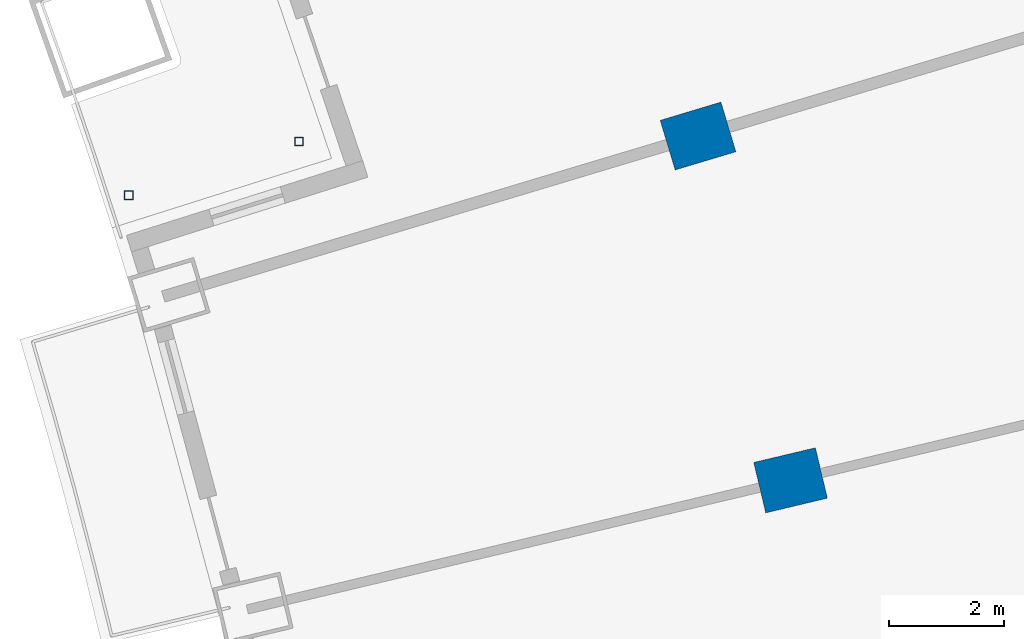
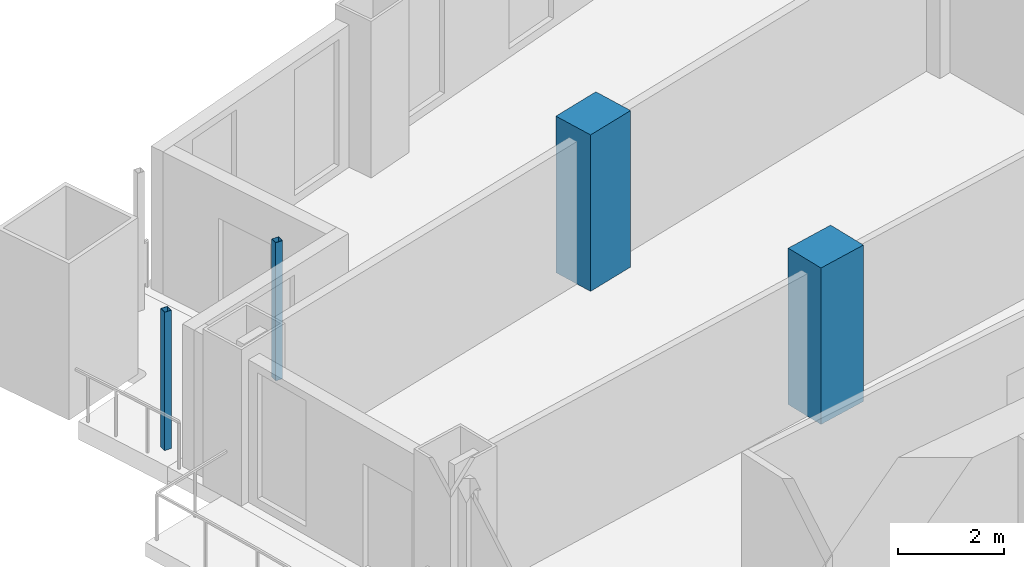
# One storey, part 7 of 25: 4 columns.
"""IFC4 building model written with IfcOpenShell, lengths in metres."""

from ifc_helpers import new_model, si_unit, direction, frame, origin, origin_2d, place, context, subcontext, project, spatial, rectangle, hollow_rectangle, extrude, material, material_profile, profile_set, type_object, element, save


model = new_model("IFC4")

# Units and contexts
model_context = context("Model", 3, precision=1e-05, world=origin(), true_north=direction((0.0, 1.0)))
body_context = subcontext(model_context, "Body", "Model", "MODEL_VIEW")
ifc_project = project(units=[si_unit("LENGTHUNIT", "METRE"), si_unit("AREAUNIT", "SQUARE_METRE"), si_unit("VOLUMEUNIT", "CUBIC_METRE"), si_unit("PLANEANGLEUNIT", "RADIAN"), si_unit("MASSUNIT", "GRAM", prefix="KILO")], contexts=[model_context])

# Site, building, storey
site_placement = place(None, origin())
site = spatial("IfcSite", under=ifc_project, at=site_placement, CompositionType="ELEMENT")
building_placement = place(site_placement, origin())
building = spatial("IfcBuilding", under=site, at=building_placement, Name="Alderwake Tower", CompositionType="ELEMENT")
storey_placement = place(building_placement, frame((0.0, 0.0, 35.60009765625)))
storey = spatial("IfcBuildingStorey", under=building, at=storey_placement, Name="L07", CompositionType="ELEMENT", Elevation=35.60009765625)

# Columns
ifc_material_1 = material(Name="Concrete C70/85", Category="concrete")
ifc_material_profile_1 = material_profile(ifc_material_1, rectangle(XDim=0.89990234375, YDim=1.10009765625, at=origin_2d()), Name="RC 1100X900")
ifc_profile_set_1 = profile_set([ifc_material_profile_1], Name="Concrete C70/85")
column_type_1 = type_object("IfcColumnType", Name="Interior column Z1", PredefinedType="COLUMN", material=ifc_profile_set_1)
for number, where, z_axis, x_axis, name in (
    (1, (23.322021484375, 85.555908203125, 0.0), (0.0, 0.0, 1.0), (-0.231221547198, 0.972901123502, 0.0), "Column R11-C1"),
    (2, (21.714599609375, 91.53759765625, 0.0), (0.0, 0.0, 1.0), (-0.287549418125, 0.957765802342, 0.0), "Column R12-C1"),
):
    element("IfcColumn", number, at=place(storey_placement, frame(where, z_axis=z_axis, x_axis=x_axis)), inside=storey, type_object=column_type_1, Name=name, PredefinedType="COLUMN", context=body_context, shape_type="SweptSolid", body=[
        extrude(rectangle(XDim=0.89990234375, YDim=1.10009765625, at=origin_2d()), origin(), (0.0, 0.0, 1.0), 3.599853515625),
    ])
ifc_material_2 = material(Name="Steel ASTM A500 Grade C", Category="steel")
ifc_material_profile_2 = material_profile(ifc_material_2, hollow_rectangle(XDim=0.15234375, YDim=0.15234375, WallThickness=0.0087890625, at=origin_2d()), Name="HSS6X6X3/8")
ifc_profile_set_2 = profile_set([ifc_material_profile_2], Name="Steel ASTM A500 Grade C")
column_type_2 = type_object("IfcColumnType", Name="Light post HSS6X6X3/8", PredefinedType="COLUMN", material=ifc_profile_set_2)
for number, where, z_axis, x_axis, name in (
    (3, (11.82568359375, 90.507080078125, 0.0), (0.0, 0.0, 1.0), (1.0, 0.0, 0.0), "Terrace post RN1"),
    (4, (14.781494140625, 91.441650390625, 0.0), (0.0, 0.0, 1.0), (1.0, 0.0, 0.0), "Terrace post RN3"),
):
    element("IfcColumn", number, at=place(storey_placement, frame(where, z_axis=z_axis, x_axis=x_axis)), inside=storey, type_object=column_type_2, Name=name, PredefinedType="COLUMN", context=body_context, shape_type="SweptSolid", body=[
        extrude(hollow_rectangle(XDim=0.15234375, YDim=0.15234375, WallThickness=0.0087890625, at=origin_2d()), origin(), (0.0, 0.0, 1.0), 3.179931640625),
    ])

save(model, "model.ifc")
